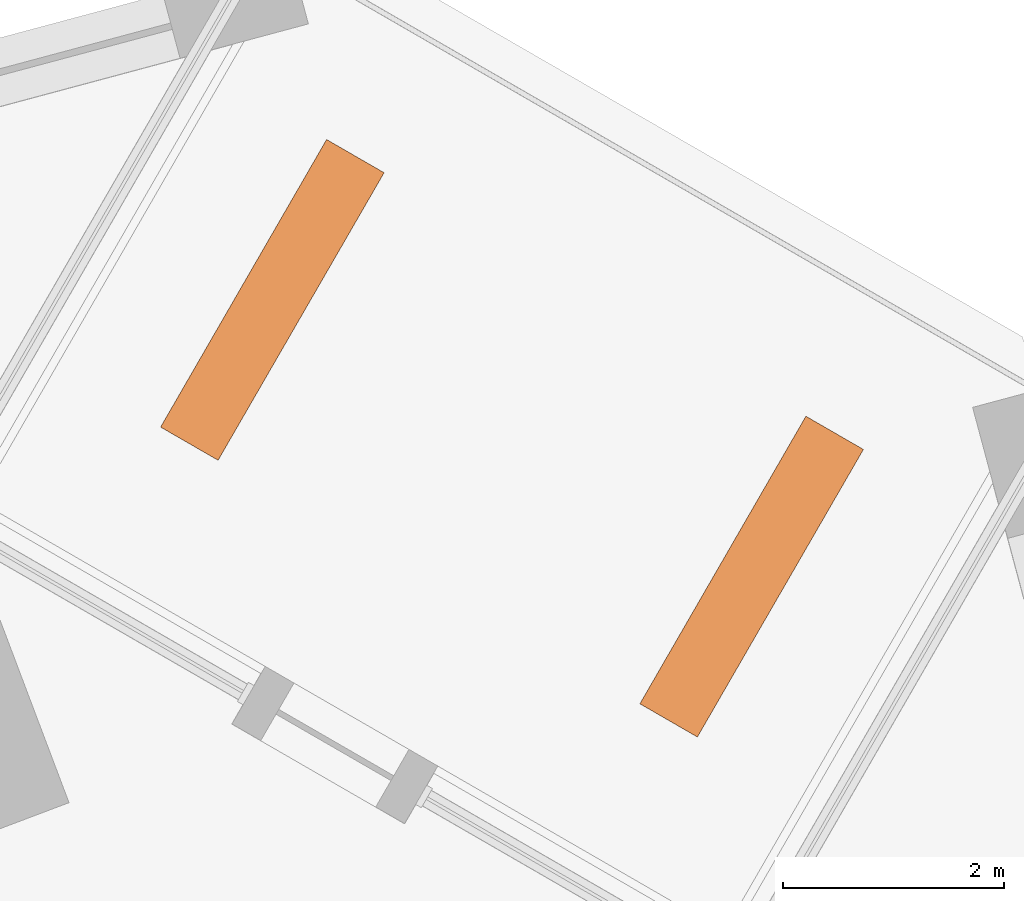
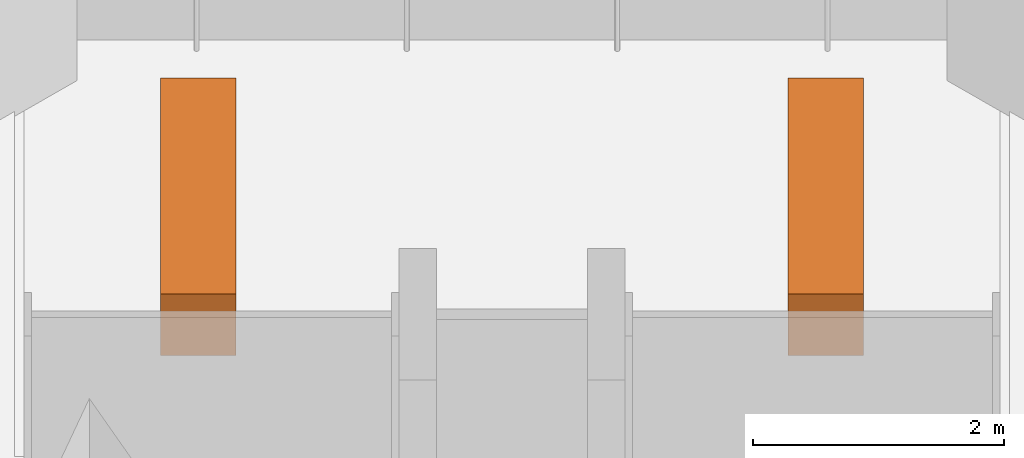
# One storey, part 11 of 11: 2 proxies.
"""IFC4 building model written with IfcOpenShell, lengths in metres."""

from ifc_helpers import new_model, si_unit, direction, frame, origin, origin_2d, place, context, subcontext, project, spatial, rectangle, extrude, element, save


model = new_model("IFC4")

# Units and contexts
model_context = context("Model", 3, precision=1e-05, world=origin(), true_north=direction((0.0, 1.0)))
body_context = subcontext(model_context, "Body", "Model", "MODEL_VIEW")
ifc_project = project(units=[si_unit("LENGTHUNIT", "METRE"), si_unit("AREAUNIT", "SQUARE_METRE"), si_unit("VOLUMEUNIT", "CUBIC_METRE"), si_unit("PLANEANGLEUNIT", "RADIAN"), si_unit("MASSUNIT", "GRAM", prefix="KILO")], contexts=[model_context])

# Site, building, storey
site_placement = place(None, origin())
site = spatial("IfcSite", under=ifc_project, at=site_placement, CompositionType="ELEMENT")
building_placement = place(site_placement, origin())
building = spatial("IfcBuilding", under=site, at=building_placement, Name="Dilmun Exchange Tower", CompositionType="ELEMENT")
storey_placement = place(building_placement, frame((0.0, 0.0, 82.10009765625)))
storey = spatial("IfcBuildingStorey", under=building, at=storey_placement, Name="L18", CompositionType="ELEMENT", Elevation=82.10009765625)

# Proxies
for number, where, z_axis, x_axis, name in (
    (1, (20.578125, 27.81396484375, -0.000244140625), (0.0, 0.0, 1.0), (0.5, 0.866025403784, 0.0), "PLANTER Date palm L18.1"),
    (2, (16.248046875, 30.31396484375, -0.000244140625), (0.0, 0.0, 1.0), (0.5, 0.866025403784, 0.0), "PLANTER Date palm L18.2"),
):
    element("IfcBuildingElementProxy", number, at=place(storey_placement, frame(where, z_axis=z_axis, x_axis=x_axis)), inside=storey, Name=name, ObjectType="PLANTER", PredefinedType="USERDEFINED", context=body_context, shape_type="SweptSolid", body=[
        extrude(rectangle(XDim=3.0, YDim=0.60009765625, at=origin_2d()), origin(), (0.0, 0.0, 1.0), 0.60009765625),
    ])

save(model, "model.ifc")
